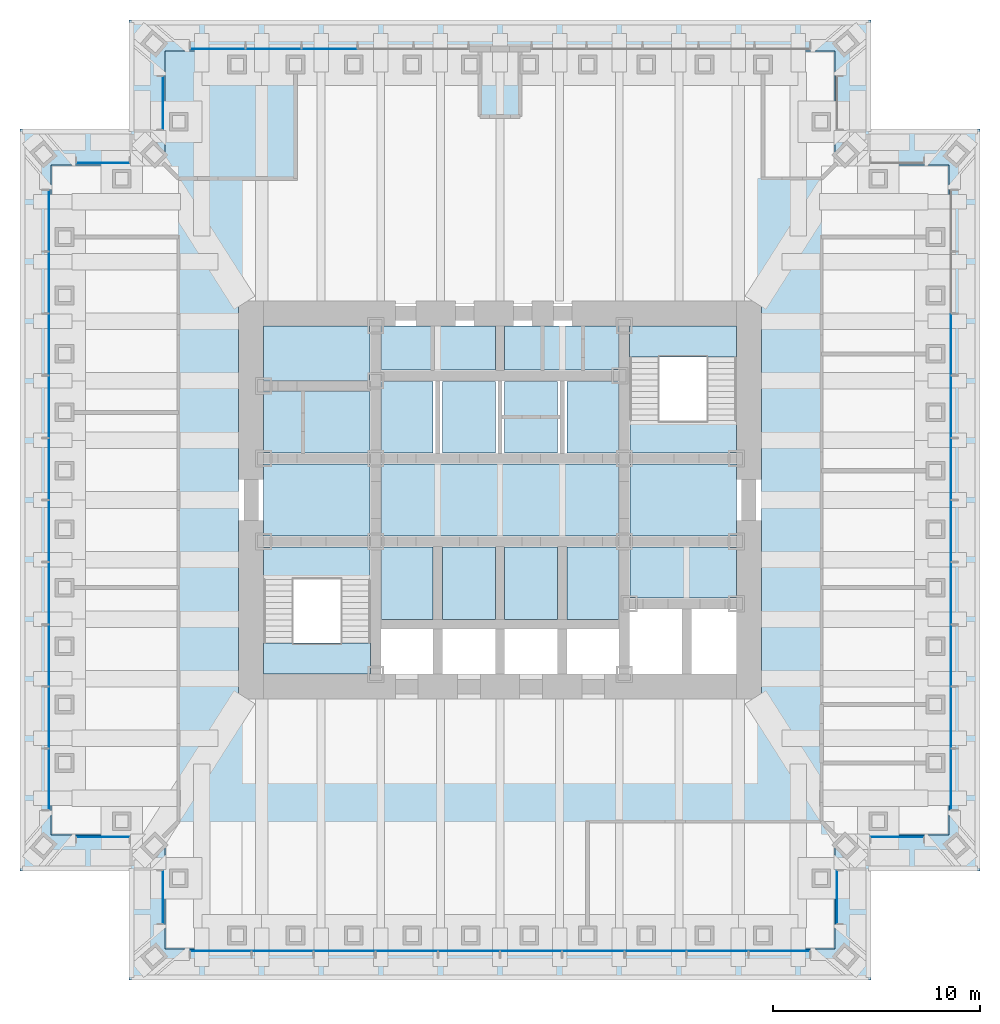
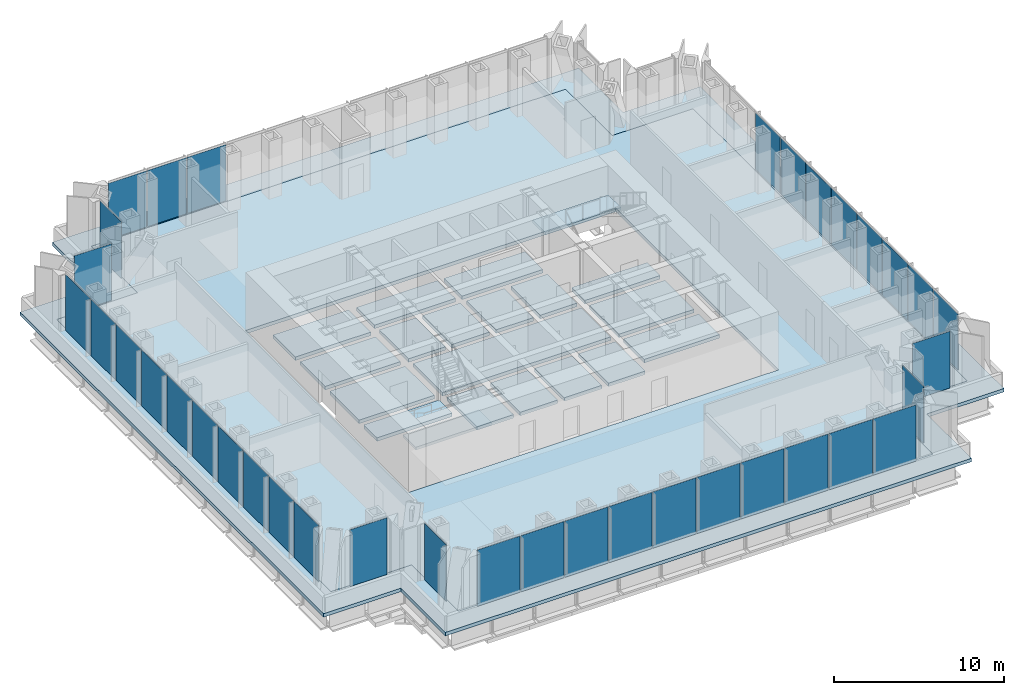
# One storey, part 7 of 12: 37 plates, 22 slabs, 12 elements without a shape of their own.
"""IFC4 building model written with IfcOpenShell, lengths in metres."""

from ifc_helpers import new_model, si_unit, direction, frame, origin, origin_2d, place, context, subcontext, project, spatial, polyline, rectangle, outline, extrude, material, layer, layer_set, type_object, element, aggregate, save


model = new_model("IFC4")

# Units and contexts
model_context = context("Model", 3, precision=1e-05, world=origin(), true_north=direction((0.0, 1.0)))
body_context = subcontext(model_context, "Body", "Model", "MODEL_VIEW")
ifc_project = project(units=[si_unit("LENGTHUNIT", "METRE"), si_unit("AREAUNIT", "SQUARE_METRE"), si_unit("VOLUMEUNIT", "CUBIC_METRE"), si_unit("PLANEANGLEUNIT", "RADIAN"), si_unit("MASSUNIT", "GRAM", prefix="KILO")], contexts=[model_context])

# Site, building, storey
site_placement = place(None, origin())
site = spatial("IfcSite", under=ifc_project, at=site_placement, CompositionType="ELEMENT")
building_placement = place(site_placement, origin())
building = spatial("IfcBuilding", under=site, at=building_placement, Name="Daluyong Arena Tower", CompositionType="ELEMENT")
storey_placement = place(building_placement, frame((0.0, 0.0, 181.300048828125)))
storey = spatial("IfcBuildingStorey", under=building, at=storey_placement, Name="L40", CompositionType="ELEMENT", Elevation=181.300048828125)

# Curtain wall, plates
ifc_material_1 = material(Name="Bronze anodised aluminium and glass", Category="aluminium")
curtain_wall_type_1 = type_object("IfcCurtainWallType", Name="Curtain wall CW3", PredefinedType="USERDEFINED", material=ifc_material_1)
curtain_wall_1_placement = place(storey_placement, origin())
curtain_wall_1 = element("IfcCurtainWall", 1, at=curtain_wall_1_placement, inside=storey, type_object=curtain_wall_type_1, Name="curtain wall L40 S", ObjectType="UNITISED CURTAIN WALL", PredefinedType="USERDEFINED")
ifc_material_2 = material(Name="Tinted double glazed unit", Category="glass")
ifc_layer_1 = layer(ifc_material_2, 0.030029296875)
ifc_layer_set_1 = layer_set([ifc_layer_1], Name="Tinted double glazed unit")
plate_type_1 = type_object("IfcPlateType", Name="CW3 panel 30", PredefinedType="CURTAIN_PANEL", material=ifc_layer_set_1)
plate_1_placement = place(storey_placement, frame((42.531494140625, 58.25, 0.0), z_axis=(0.0, 0.0, 1.0), x_axis=(1.0, 0.0, 0.0)))
plate_1 = element("IfcPlate", 2, at=plate_1_placement, type_object=plate_type_1, Name="curtain wall L40 S panel 1", PredefinedType="CURTAIN_PANEL", context=body_context, shape_type="SweptSolid", body=[
    extrude(rectangle(XDim=2.891845703125, YDim=0.030029296875, at=origin_2d()), origin(), (0.0, 0.0, 1.0), 4.0400390625),
])
plate_2_placement = place(storey_placement, frame((45.5107421875, 58.25, 0.0), z_axis=(0.0, 0.0, 1.0), x_axis=(1.0, 0.0, 0.0)))
plate_2 = element("IfcPlate", 3, at=plate_2_placement, type_object=plate_type_1, Name="curtain wall L40 S panel 2", PredefinedType="CURTAIN_PANEL", context=body_context, shape_type="SweptSolid", body=[
    extrude(rectangle(XDim=2.927001953125, YDim=0.030029296875, at=origin_2d()), origin(), (0.0, 0.0, 1.0), 4.0400390625),
])
plate_3_placement = place(storey_placement, frame((48.5078125, 58.25, 0.0), z_axis=(0.0, 0.0, 1.0), x_axis=(1.0, 0.0, 0.0)))
plate_3 = element("IfcPlate", 4, at=plate_3_placement, type_object=plate_type_1, Name="curtain wall L40 S panel 3", PredefinedType="CURTAIN_PANEL", context=body_context, shape_type="SweptSolid", body=[
    extrude(rectangle(XDim=2.927001953125, YDim=0.030029296875, at=origin_2d()), origin(), (0.0, 0.0, 1.0), 4.0400390625),
])
plate_4_placement = place(storey_placement, frame((51.504638671875, 58.25, 0.0), z_axis=(0.0, 0.0, 1.0), x_axis=(1.0, 0.0, 0.0)))
plate_4 = element("IfcPlate", 5, at=plate_4_placement, type_object=plate_type_1, Name="curtain wall L40 S panel 4", PredefinedType="CURTAIN_PANEL", context=body_context, shape_type="SweptSolid", body=[
    extrude(rectangle(XDim=2.927001953125, YDim=0.030029296875, at=origin_2d()), origin(), (0.0, 0.0, 1.0), 4.0400390625),
])
plate_5_placement = place(storey_placement, frame((54.50146484375, 58.25, 0.0), z_axis=(0.0, 0.0, 1.0), x_axis=(1.0, 0.0, 0.0)))
plate_5 = element("IfcPlate", 6, at=plate_5_placement, type_object=plate_type_1, Name="curtain wall L40 S panel 5", PredefinedType="CURTAIN_PANEL", context=body_context, shape_type="SweptSolid", body=[
    extrude(rectangle(XDim=2.927001953125, YDim=0.030029296875, at=origin_2d()), origin(), (0.0, 0.0, 1.0), 4.0400390625),
])
plate_6_placement = place(storey_placement, frame((57.49853515625, 58.25, 0.0), z_axis=(0.0, 0.0, 1.0), x_axis=(1.0, 0.0, 0.0)))
plate_6 = element("IfcPlate", 7, at=plate_6_placement, type_object=plate_type_1, Name="curtain wall L40 S panel 6", PredefinedType="CURTAIN_PANEL", context=body_context, shape_type="SweptSolid", body=[
    extrude(rectangle(XDim=2.927001953125, YDim=0.030029296875, at=origin_2d()), origin(), (0.0, 0.0, 1.0), 4.0400390625),
])
plate_7_placement = place(storey_placement, frame((60.495361328125, 58.25, 0.0), z_axis=(0.0, 0.0, 1.0), x_axis=(1.0, 0.0, 0.0)))
plate_7 = element("IfcPlate", 8, at=plate_7_placement, type_object=plate_type_1, Name="curtain wall L40 S panel 7", PredefinedType="CURTAIN_PANEL", context=body_context, shape_type="SweptSolid", body=[
    extrude(rectangle(XDim=2.927001953125, YDim=0.030029296875, at=origin_2d()), origin(), (0.0, 0.0, 1.0), 4.0400390625),
])
plate_8_placement = place(storey_placement, frame((63.4921875, 58.25, 0.0), z_axis=(0.0, 0.0, 1.0), x_axis=(1.0, 0.0, 0.0)))
plate_8 = element("IfcPlate", 9, at=plate_8_placement, type_object=plate_type_1, Name="curtain wall L40 S panel 8", PredefinedType="CURTAIN_PANEL", context=body_context, shape_type="SweptSolid", body=[
    extrude(rectangle(XDim=2.927001953125, YDim=0.030029296875, at=origin_2d()), origin(), (0.0, 0.0, 1.0), 4.0400390625),
])
plate_9_placement = place(storey_placement, frame((66.4892578125, 58.25, 0.0), z_axis=(0.0, 0.0, 1.0), x_axis=(1.0, 0.0, 0.0)))
plate_9 = element("IfcPlate", 10, at=plate_9_placement, type_object=plate_type_1, Name="curtain wall L40 S panel 9", PredefinedType="CURTAIN_PANEL", context=body_context, shape_type="SweptSolid", body=[
    extrude(rectangle(XDim=2.927001953125, YDim=0.030029296875, at=origin_2d()), origin(), (0.0, 0.0, 1.0), 4.0400390625),
])
plate_10_placement = place(storey_placement, frame((69.468505859375, 58.25, 0.0), z_axis=(0.0, 0.0, 1.0), x_axis=(1.0, 0.0, 0.0)))
plate_10 = element("IfcPlate", 11, at=plate_10_placement, type_object=plate_type_1, Name="curtain wall L40 S panel 10", PredefinedType="CURTAIN_PANEL", context=body_context, shape_type="SweptSolid", body=[
    extrude(rectangle(XDim=2.891845703125, YDim=0.030029296875, at=origin_2d()), origin(), (0.0, 0.0, 1.0), 4.0400390625),
])
aggregate(curtain_wall_1, [plate_1, plate_2, plate_3, plate_4, plate_5, plate_6, plate_7, plate_8, plate_9, plate_10])

curtain_wall_2_placement = place(storey_placement, origin())
curtain_wall_2 = element("IfcCurtainWall", 12, at=curtain_wall_2_placement, inside=storey, type_object=curtain_wall_type_1, Name="curtain wall L40 E", ObjectType="UNITISED CURTAIN WALL", PredefinedType="USERDEFINED")
plate_11_placement = place(storey_placement, frame((77.75, 66.531494140625, 0.0), z_axis=(0.0, 0.0, 1.0), x_axis=(0.0, 1.0, 0.0)))
plate_11 = element("IfcPlate", 13, at=plate_11_placement, type_object=plate_type_1, Name="curtain wall L40 E panel 1", PredefinedType="CURTAIN_PANEL", context=body_context, shape_type="SweptSolid", body=[
    extrude(rectangle(XDim=2.891845703125, YDim=0.030029296875, at=origin_2d()), origin(), (0.0, 0.0, 1.0), 4.0400390625),
])
plate_12_placement = place(storey_placement, frame((77.75, 69.5107421875, 0.0), z_axis=(0.0, 0.0, 1.0), x_axis=(0.0, 1.0, 0.0)))
plate_12 = element("IfcPlate", 14, at=plate_12_placement, type_object=plate_type_1, Name="curtain wall L40 E panel 2", PredefinedType="CURTAIN_PANEL", context=body_context, shape_type="SweptSolid", body=[
    extrude(rectangle(XDim=2.927001953125, YDim=0.030029296875, at=origin_2d()), origin(), (0.0, 0.0, 1.0), 4.0400390625),
])
plate_13_placement = place(storey_placement, frame((77.75, 72.5078125, 0.0), z_axis=(0.0, 0.0, 1.0), x_axis=(0.0, 1.0, 0.0)))
plate_13 = element("IfcPlate", 15, at=plate_13_placement, type_object=plate_type_1, Name="curtain wall L40 E panel 3", PredefinedType="CURTAIN_PANEL", context=body_context, shape_type="SweptSolid", body=[
    extrude(rectangle(XDim=2.927001953125, YDim=0.030029296875, at=origin_2d()), origin(), (0.0, 0.0, 1.0), 4.0400390625),
])
plate_14_placement = place(storey_placement, frame((77.75, 75.504638671875, 0.0), z_axis=(0.0, 0.0, 1.0), x_axis=(0.0, 1.0, 0.0)))
plate_14 = element("IfcPlate", 16, at=plate_14_placement, type_object=plate_type_1, Name="curtain wall L40 E panel 4", PredefinedType="CURTAIN_PANEL", context=body_context, shape_type="SweptSolid", body=[
    extrude(rectangle(XDim=2.927001953125, YDim=0.030029296875, at=origin_2d()), origin(), (0.0, 0.0, 1.0), 4.0400390625),
])
plate_15_placement = place(storey_placement, frame((77.75, 78.50146484375, 0.0), z_axis=(0.0, 0.0, 1.0), x_axis=(0.0, 1.0, 0.0)))
plate_15 = element("IfcPlate", 17, at=plate_15_placement, type_object=plate_type_1, Name="curtain wall L40 E panel 5", PredefinedType="CURTAIN_PANEL", context=body_context, shape_type="SweptSolid", body=[
    extrude(rectangle(XDim=2.927001953125, YDim=0.030029296875, at=origin_2d()), origin(), (0.0, 0.0, 1.0), 4.0400390625),
])
plate_16_placement = place(storey_placement, frame((77.75, 81.49853515625, 0.0), z_axis=(0.0, 0.0, 1.0), x_axis=(0.0, 1.0, 0.0)))
plate_16 = element("IfcPlate", 18, at=plate_16_placement, type_object=plate_type_1, Name="curtain wall L40 E panel 6", PredefinedType="CURTAIN_PANEL", context=body_context, shape_type="SweptSolid", body=[
    extrude(rectangle(XDim=2.927001953125, YDim=0.030029296875, at=origin_2d()), origin(), (0.0, 0.0, 1.0), 4.0400390625),
])
plate_17_placement = place(storey_placement, frame((77.75, 84.495361328125, 0.0), z_axis=(0.0, 0.0, 1.0), x_axis=(0.0, 1.0, 0.0)))
plate_17 = element("IfcPlate", 19, at=plate_17_placement, type_object=plate_type_1, Name="curtain wall L40 E panel 7", PredefinedType="CURTAIN_PANEL", context=body_context, shape_type="SweptSolid", body=[
    extrude(rectangle(XDim=2.927001953125, YDim=0.030029296875, at=origin_2d()), origin(), (0.0, 0.0, 1.0), 4.0400390625),
])
plate_18_placement = place(storey_placement, frame((77.75, 87.4921875, 0.0), z_axis=(0.0, 0.0, 1.0), x_axis=(0.0, 1.0, 0.0)))
plate_18 = element("IfcPlate", 20, at=plate_18_placement, type_object=plate_type_1, Name="curtain wall L40 E panel 8", PredefinedType="CURTAIN_PANEL", context=body_context, shape_type="SweptSolid", body=[
    extrude(rectangle(XDim=2.927001953125, YDim=0.030029296875, at=origin_2d()), origin(), (0.0, 0.0, 1.0), 4.0400390625),
])
aggregate(curtain_wall_2, [plate_11, plate_12, plate_13, plate_14, plate_15, plate_16, plate_17, plate_18])

curtain_wall_3_placement = place(storey_placement, origin())
curtain_wall_3 = element("IfcCurtainWall", 21, at=curtain_wall_3_placement, inside=storey, type_object=curtain_wall_type_1, Name="curtain wall L40 N part 2", ObjectType="UNITISED CURTAIN WALL", PredefinedType="USERDEFINED")
plate_19_placement = place(storey_placement, frame((47.76904296875, 101.75, 0.0), z_axis=(0.0, 0.0, 1.0), x_axis=(-1.0, 0.0, 0.0)))
plate_19 = element("IfcPlate", 22, at=plate_19_placement, type_object=plate_type_1, Name="curtain wall L40 N part 2 panel 3", PredefinedType="CURTAIN_PANEL", context=body_context, shape_type="SweptSolid", body=[
    extrude(rectangle(XDim=2.63134765625, YDim=0.030029296875, at=origin_2d()), origin(), (0.0, 0.0, 1.0), 4.0400390625),
])
plate_20_placement = place(storey_placement, frame((45.067626953125, 101.75, 0.0), z_axis=(0.0, 0.0, 1.0), x_axis=(-1.0, 0.0, 0.0)))
plate_20 = element("IfcPlate", 23, at=plate_20_placement, type_object=plate_type_1, Name="curtain wall L40 N part 2 panel 4", PredefinedType="CURTAIN_PANEL", context=body_context, shape_type="SweptSolid", body=[
    extrude(rectangle(XDim=2.63134765625, YDim=0.030029296875, at=origin_2d()), origin(), (0.0, 0.0, 1.0), 4.0400390625),
])
plate_21_placement = place(storey_placement, frame((42.3837890625, 101.75, 0.0), z_axis=(0.0, 0.0, 1.0), x_axis=(-1.0, 0.0, 0.0)))
plate_21 = element("IfcPlate", 24, at=plate_21_placement, type_object=plate_type_1, Name="curtain wall L40 N part 2 panel 5", PredefinedType="CURTAIN_PANEL", context=body_context, shape_type="SweptSolid", body=[
    extrude(rectangle(XDim=2.596435546875, YDim=0.030029296875, at=origin_2d()), origin(), (0.0, 0.0, 1.0), 4.0400390625),
])
aggregate(curtain_wall_3, [plate_19, plate_20, plate_21])

curtain_wall_4_placement = place(storey_placement, origin())
curtain_wall_4 = element("IfcCurtainWall", 25, at=curtain_wall_4_placement, inside=storey, type_object=curtain_wall_type_1, Name="curtain wall L40 W", ObjectType="UNITISED CURTAIN WALL", PredefinedType="USERDEFINED")
plate_22_placement = place(storey_placement, frame((34.25, 93.468505859375, 0.0), z_axis=(0.0, 0.0, 1.0), x_axis=(0.0, -1.0, 0.0)))
plate_22 = element("IfcPlate", 26, at=plate_22_placement, type_object=plate_type_1, Name="curtain wall L40 W panel 1", PredefinedType="CURTAIN_PANEL", context=body_context, shape_type="SweptSolid", body=[
    extrude(rectangle(XDim=2.891845703125, YDim=0.030029296875, at=origin_2d()), origin(), (0.0, 0.0, 1.0), 4.0400390625),
])
plate_23_placement = place(storey_placement, frame((34.25, 90.4892578125, 0.0), z_axis=(0.0, 0.0, 1.0), x_axis=(0.0, -1.0, 0.0)))
plate_23 = element("IfcPlate", 27, at=plate_23_placement, type_object=plate_type_1, Name="curtain wall L40 W panel 2", PredefinedType="CURTAIN_PANEL", context=body_context, shape_type="SweptSolid", body=[
    extrude(rectangle(XDim=2.927001953125, YDim=0.030029296875, at=origin_2d()), origin(), (0.0, 0.0, 1.0), 4.0400390625),
])
plate_24_placement = place(storey_placement, frame((34.25, 87.4921875, 0.0), z_axis=(0.0, 0.0, 1.0), x_axis=(0.0, -1.0, 0.0)))
plate_24 = element("IfcPlate", 28, at=plate_24_placement, type_object=plate_type_1, Name="curtain wall L40 W panel 3", PredefinedType="CURTAIN_PANEL", context=body_context, shape_type="SweptSolid", body=[
    extrude(rectangle(XDim=2.927001953125, YDim=0.030029296875, at=origin_2d()), origin(), (0.0, 0.0, 1.0), 4.0400390625),
])
plate_25_placement = place(storey_placement, frame((34.25, 84.495361328125, 0.0), z_axis=(0.0, 0.0, 1.0), x_axis=(0.0, -1.0, 0.0)))
plate_25 = element("IfcPlate", 29, at=plate_25_placement, type_object=plate_type_1, Name="curtain wall L40 W panel 4", PredefinedType="CURTAIN_PANEL", context=body_context, shape_type="SweptSolid", body=[
    extrude(rectangle(XDim=2.927001953125, YDim=0.030029296875, at=origin_2d()), origin(), (0.0, 0.0, 1.0), 4.0400390625),
])
plate_26_placement = place(storey_placement, frame((34.25, 81.49853515625, 0.0), z_axis=(0.0, 0.0, 1.0), x_axis=(0.0, -1.0, 0.0)))
plate_26 = element("IfcPlate", 30, at=plate_26_placement, type_object=plate_type_1, Name="curtain wall L40 W panel 5", PredefinedType="CURTAIN_PANEL", context=body_context, shape_type="SweptSolid", body=[
    extrude(rectangle(XDim=2.927001953125, YDim=0.030029296875, at=origin_2d()), origin(), (0.0, 0.0, 1.0), 4.0400390625),
])
plate_27_placement = place(storey_placement, frame((34.25, 78.50146484375, 0.0), z_axis=(0.0, 0.0, 1.0), x_axis=(0.0, -1.0, 0.0)))
plate_27 = element("IfcPlate", 31, at=plate_27_placement, type_object=plate_type_1, Name="curtain wall L40 W panel 6", PredefinedType="CURTAIN_PANEL", context=body_context, shape_type="SweptSolid", body=[
    extrude(rectangle(XDim=2.927001953125, YDim=0.030029296875, at=origin_2d()), origin(), (0.0, 0.0, 1.0), 4.0400390625),
])
plate_28_placement = place(storey_placement, frame((34.25, 75.504638671875, 0.0), z_axis=(0.0, 0.0, 1.0), x_axis=(0.0, -1.0, 0.0)))
plate_28 = element("IfcPlate", 32, at=plate_28_placement, type_object=plate_type_1, Name="curtain wall L40 W panel 7", PredefinedType="CURTAIN_PANEL", context=body_context, shape_type="SweptSolid", body=[
    extrude(rectangle(XDim=2.927001953125, YDim=0.030029296875, at=origin_2d()), origin(), (0.0, 0.0, 1.0), 4.0400390625),
])
plate_29_placement = place(storey_placement, frame((34.25, 72.5078125, 0.0), z_axis=(0.0, 0.0, 1.0), x_axis=(0.0, -1.0, 0.0)))
plate_29 = element("IfcPlate", 33, at=plate_29_placement, type_object=plate_type_1, Name="curtain wall L40 W panel 8", PredefinedType="CURTAIN_PANEL", context=body_context, shape_type="SweptSolid", body=[
    extrude(rectangle(XDim=2.927001953125, YDim=0.030029296875, at=origin_2d()), origin(), (0.0, 0.0, 1.0), 4.0400390625),
])
plate_30_placement = place(storey_placement, frame((34.25, 69.5107421875, 0.0), z_axis=(0.0, 0.0, 1.0), x_axis=(0.0, -1.0, 0.0)))
plate_30 = element("IfcPlate", 34, at=plate_30_placement, type_object=plate_type_1, Name="curtain wall L40 W panel 9", PredefinedType="CURTAIN_PANEL", context=body_context, shape_type="SweptSolid", body=[
    extrude(rectangle(XDim=2.927001953125, YDim=0.030029296875, at=origin_2d()), origin(), (0.0, 0.0, 1.0), 4.0400390625),
])
plate_31_placement = place(storey_placement, frame((34.25, 66.531494140625, 0.0), z_axis=(0.0, 0.0, 1.0), x_axis=(0.0, -1.0, 0.0)))
plate_31 = element("IfcPlate", 35, at=plate_31_placement, type_object=plate_type_1, Name="curtain wall L40 W panel 10", PredefinedType="CURTAIN_PANEL", context=body_context, shape_type="SweptSolid", body=[
    extrude(rectangle(XDim=2.891845703125, YDim=0.030029296875, at=origin_2d()), origin(), (0.0, 0.0, 1.0), 4.0400390625),
])
aggregate(curtain_wall_4, [plate_22, plate_23, plate_24, plate_25, plate_26, plate_27, plate_28, plate_29, plate_30, plate_31])

# Curtain wall, plate
ifc_material_3 = material(Name="Bronze anodised aluminium and glass", Category="aluminium")
curtain_wall_type_2 = type_object("IfcCurtainWallType", Name="Curtain wall CW7", PredefinedType="USERDEFINED", material=ifc_material_3)
curtain_wall_5_placement = place(storey_placement, origin())
curtain_wall_5 = element("IfcCurtainWall", 36, at=curtain_wall_5_placement, inside=storey, type_object=curtain_wall_type_2, Name="curtain wall L40 SE-E", ObjectType="UNITISED CURTAIN WALL", PredefinedType="USERDEFINED")
ifc_material_4 = material(Name="Tinted double glazed unit", Category="glass")
ifc_layer_2 = layer(ifc_material_4, 0.028076171875)
ifc_layer_set_2 = layer_set([ifc_layer_2], Name="Tinted double glazed unit")
plate_type_2 = type_object("IfcPlateType", Name="CW7 panel 28", PredefinedType="CURTAIN_PANEL", material=ifc_layer_set_2)
plate_32_placement = place(storey_placement, frame((72.25, 60.853515625, 0.0), z_axis=(0.0, 0.0, 1.0), x_axis=(0.0, 1.0, 0.0)))
plate_32 = element("IfcPlate", 37, at=plate_32_placement, type_object=plate_type_2, Name="curtain wall L40 SE-E panel 1", PredefinedType="CURTAIN_PANEL", context=body_context, shape_type="SweptSolid", body=[
    extrude(rectangle(XDim=2.52880859375, YDim=0.028076171875, at=origin_2d()), origin(), (0.0, 0.0, 1.0), 4.080078125),
])
aggregate(curtain_wall_5, [plate_32])

curtain_wall_6_placement = place(storey_placement, origin())
curtain_wall_6 = element("IfcCurtainWall", 38, at=curtain_wall_6_placement, inside=storey, type_object=curtain_wall_type_2, Name="curtain wall L40 SE-S", ObjectType="UNITISED CURTAIN WALL", PredefinedType="USERDEFINED")
plate_33_placement = place(storey_placement, frame((75.146484375, 63.75, 0.0), z_axis=(0.0, 0.0, 1.0), x_axis=(1.0, 0.0, 0.0)))
plate_33 = element("IfcPlate", 39, at=plate_33_placement, type_object=plate_type_2, Name="curtain wall L40 SE-S panel 1", PredefinedType="CURTAIN_PANEL", context=body_context, shape_type="SweptSolid", body=[
    extrude(rectangle(XDim=2.52880859375, YDim=0.028076171875, at=origin_2d()), origin(), (0.0, 0.0, 1.0), 4.080078125),
])
aggregate(curtain_wall_6, [plate_33])

curtain_wall_7_placement = place(storey_placement, origin())
curtain_wall_7 = element("IfcCurtainWall", 40, at=curtain_wall_7_placement, inside=storey, type_object=curtain_wall_type_2, Name="curtain wall L40 NW-W", ObjectType="UNITISED CURTAIN WALL", PredefinedType="USERDEFINED")
plate_34_placement = place(storey_placement, frame((39.75, 99.146484375, 0.0), z_axis=(0.0, 0.0, 1.0), x_axis=(0.0, -1.0, 0.0)))
plate_34 = element("IfcPlate", 41, at=plate_34_placement, type_object=plate_type_2, Name="curtain wall L40 NW-W panel 1", PredefinedType="CURTAIN_PANEL", context=body_context, shape_type="SweptSolid", body=[
    extrude(rectangle(XDim=2.52880859375, YDim=0.028076171875, at=origin_2d()), origin(), (0.0, 0.0, 1.0), 4.080078125),
])
aggregate(curtain_wall_7, [plate_34])

curtain_wall_8_placement = place(storey_placement, origin())
curtain_wall_8 = element("IfcCurtainWall", 42, at=curtain_wall_8_placement, inside=storey, type_object=curtain_wall_type_2, Name="curtain wall L40 NW-N", ObjectType="UNITISED CURTAIN WALL", PredefinedType="USERDEFINED")
plate_35_placement = place(storey_placement, frame((36.853515625, 96.25, 0.0), z_axis=(0.0, 0.0, 1.0), x_axis=(-1.0, 0.0, 0.0)))
plate_35 = element("IfcPlate", 43, at=plate_35_placement, type_object=plate_type_2, Name="curtain wall L40 NW-N panel 1", PredefinedType="CURTAIN_PANEL", context=body_context, shape_type="SweptSolid", body=[
    extrude(rectangle(XDim=2.52880859375, YDim=0.028076171875, at=origin_2d()), origin(), (0.0, 0.0, 1.0), 4.080078125),
])
aggregate(curtain_wall_8, [plate_35])

curtain_wall_9_placement = place(storey_placement, origin())
curtain_wall_9 = element("IfcCurtainWall", 44, at=curtain_wall_9_placement, inside=storey, type_object=curtain_wall_type_2, Name="curtain wall L40 SW-S", ObjectType="UNITISED CURTAIN WALL", PredefinedType="USERDEFINED")
plate_36_placement = place(storey_placement, frame((36.853515625, 63.75, 0.0), z_axis=(0.0, 0.0, 1.0), x_axis=(1.0, 0.0, 0.0)))
plate_36 = element("IfcPlate", 45, at=plate_36_placement, type_object=plate_type_2, Name="curtain wall L40 SW-S panel 1", PredefinedType="CURTAIN_PANEL", context=body_context, shape_type="SweptSolid", body=[
    extrude(rectangle(XDim=2.52880859375, YDim=0.028076171875, at=origin_2d()), origin(), (0.0, 0.0, 1.0), 4.080078125),
])
aggregate(curtain_wall_9, [plate_36])

curtain_wall_10_placement = place(storey_placement, origin())
curtain_wall_10 = element("IfcCurtainWall", 46, at=curtain_wall_10_placement, inside=storey, type_object=curtain_wall_type_2, Name="curtain wall L40 SW-W", ObjectType="UNITISED CURTAIN WALL", PredefinedType="USERDEFINED")
plate_37_placement = place(storey_placement, frame((39.75, 60.853515625, 0.0), z_axis=(0.0, 0.0, 1.0), x_axis=(0.0, -1.0, 0.0)))
plate_37 = element("IfcPlate", 47, at=plate_37_placement, type_object=plate_type_2, Name="curtain wall L40 SW-W panel 1", PredefinedType="CURTAIN_PANEL", context=body_context, shape_type="SweptSolid", body=[
    extrude(rectangle(XDim=2.52880859375, YDim=0.028076171875, at=origin_2d()), origin(), (0.0, 0.0, 1.0), 4.080078125),
])
aggregate(curtain_wall_10, [plate_37])

# Slabs
ifc_material_5 = material(Name="Concrete fc' 35 MPa", Category="concrete")
ifc_layer_3 = layer(ifc_material_5, 0.25)
ifc_layer_set_3 = layer_set([ifc_layer_3], Name="Concrete fc' 35 MPa")
slab_type_1 = type_object("IfcSlabType", Name="Plant floor slab 250", PredefinedType="FLOOR", material=ifc_layer_set_3)
slab_1_placement = place(storey_placement, frame((0.0, 0.0, -0.25)))
element("IfcSlab", 48, at=slab_1_placement, inside=storey, type_object=slab_type_1, Name="floor L40 part 1", PredefinedType="FLOOR", context=body_context, shape_type="SweptSolid", body=[
    extrude(outline(polyline([(49.72509765625, 77.72509765625), (44.60009765625, 77.72509765625), (44.60009765625, 76.175048828125), (49.72509765625, 76.175048828125), (49.72509765625, 77.72509765625)])), origin(), (0.0, 0.0, 1.0), 0.25),
])
slab_2_placement = place(storey_placement, frame((0.0, 0.0, -0.25)))
element("IfcSlab", 49, at=slab_2_placement, inside=storey, type_object=slab_type_1, Name="floor L40 part 2", PredefinedType="FLOOR", context=body_context, shape_type="SweptSolid", body=[
    extrude(outline(polyline([(49.72509765625, 78.27490234375), (49.72509765625, 81.72509765625), (44.60009765625, 81.72509765625), (44.60009765625, 78.27490234375), (49.72509765625, 78.27490234375)])), origin(), (0.0, 0.0, 1.0), 0.25),
])
slab_3_placement = place(storey_placement, frame((0.0, 0.0, -0.25)))
element("IfcSlab", 50, at=slab_3_placement, inside=storey, type_object=slab_type_1, Name="floor L40 part 3", PredefinedType="FLOOR", context=body_context, shape_type="SweptSolid", body=[
    extrude(outline(polyline([(49.72509765625, 82.27490234375), (49.72509765625, 85.22509765625), (44.60009765625, 85.22509765625), (44.60009765625, 82.27490234375), (49.72509765625, 82.27490234375)])), origin(), (0.0, 0.0, 1.0), 0.25),
])
slab_4_placement = place(storey_placement, frame((0.0, 0.0, -0.25)))
element("IfcSlab", 51, at=slab_4_placement, inside=storey, type_object=slab_type_1, Name="floor L40 part 4", PredefinedType="FLOOR", context=body_context, shape_type="SweptSolid", body=[
    extrude(outline(polyline([(44.60009765625, 88.39990234375), (44.60009765625, 85.77490234375), (49.72509765625, 85.77490234375), (49.72509765625, 88.39990234375), (44.60009765625, 88.39990234375)])), origin(), (0.0, 0.0, 1.0), 0.25),
])
slab_5_placement = place(storey_placement, frame((0.0, 0.0, -0.25)))
element("IfcSlab", 52, at=slab_5_placement, inside=storey, type_object=slab_type_1, Name="floor L40 part 5", PredefinedType="FLOOR", context=body_context, shape_type="SweptSolid", body=[
    extrude(outline(polyline([(50.27490234375, 77.72509765625), (50.27490234375, 74.22509765625), (52.77490234375, 74.22509765625), (52.77490234375, 77.72509765625), (50.27490234375, 77.72509765625)])), origin(), (0.0, 0.0, 1.0), 0.25),
])
slab_6_placement = place(storey_placement, frame((0.0, 0.0, -0.25)))
element("IfcSlab", 53, at=slab_6_placement, inside=storey, type_object=slab_type_1, Name="floor L40 part 6", PredefinedType="FLOOR", context=body_context, shape_type="SweptSolid", body=[
    extrude(outline(polyline([(50.27490234375, 85.72509765625), (50.27490234375, 82.27490234375), (52.77490234375, 82.27490234375), (52.77490234375, 85.72509765625), (50.27490234375, 85.72509765625)])), origin(), (0.0, 0.0, 1.0), 0.25),
])
slab_7_placement = place(storey_placement, frame((0.0, 0.0, -0.25)))
element("IfcSlab", 54, at=slab_7_placement, inside=storey, type_object=slab_type_1, Name="floor L40 part 7", PredefinedType="FLOOR", context=body_context, shape_type="SweptSolid", body=[
    extrude(outline(polyline([(50.27490234375, 88.39990234375), (50.27490234375, 86.27490234375), (55.77490234375, 86.27490234375), (55.77490234375, 88.39990234375), (50.27490234375, 88.39990234375)])), origin(), (0.0, 0.0, 1.0), 0.25),
])
slab_8_placement = place(storey_placement, frame((0.0, 0.0, -0.25)))
element("IfcSlab", 55, at=slab_8_placement, inside=storey, type_object=slab_type_1, Name="floor L40 part 8", PredefinedType="FLOOR", context=body_context, shape_type="SweptSolid", body=[
    extrude(outline(polyline([(53.22509765625, 77.72509765625), (53.22509765625, 74.22509765625), (55.77490234375, 74.22509765625), (55.77490234375, 77.72509765625), (53.22509765625, 77.72509765625)])), origin(), (0.0, 0.0, 1.0), 0.25),
])
slab_9_placement = place(storey_placement, frame((0.0, 0.0, -0.25)))
element("IfcSlab", 56, at=slab_9_placement, inside=storey, type_object=slab_type_1, Name="floor L40 part 9", PredefinedType="FLOOR", context=body_context, shape_type="SweptSolid", body=[
    extrude(outline(polyline([(53.22509765625, 85.72509765625), (53.22509765625, 82.27490234375), (55.77490234375, 82.27490234375), (55.77490234375, 85.72509765625), (53.22509765625, 85.72509765625)])), origin(), (0.0, 0.0, 1.0), 0.25),
])
slab_10_placement = place(storey_placement, frame((0.0, 0.0, -0.25)))
element("IfcSlab", 57, at=slab_10_placement, inside=storey, type_object=slab_type_1, Name="floor L40 part 10", PredefinedType="FLOOR", context=body_context, shape_type="SweptSolid", body=[
    extrude(outline(polyline([(39.85009765625, 63.85009765625), (39.85009765625, 58.35009765625), (72.14990234375, 58.35009765625), (72.14990234375, 63.85009765625), (77.64990234375, 63.85009765625), (77.64990234375, 96.14990234375), (72.14990234375, 96.14990234375), (72.14990234375, 101.64990234375), (39.85009765625, 101.64990234375), (39.85009765625, 96.14990234375), (34.35009765625, 96.14990234375), (34.35009765625, 63.85009765625), (39.85009765625, 63.85009765625)]), holes=[polyline([(68.60009765625, 89.60009765625), (68.60009765625, 70.39990234375), (43.39990234375, 70.39990234375), (43.39990234375, 89.60009765625), (68.60009765625, 89.60009765625)])]), origin(), (0.0, 0.0, 1.0), 0.25),
])
slab_11_placement = place(storey_placement, frame((0.0, 0.0, -0.25)))
element("IfcSlab", 58, at=slab_11_placement, inside=storey, type_object=slab_type_1, Name="floor L40 part 11", PredefinedType="FLOOR", context=body_context, shape_type="SweptSolid", body=[
    extrude(outline(polyline([(61.72509765625, 81.72509765625), (50.27490234375, 81.72509765625), (50.27490234375, 78.27490234375), (61.72509765625, 78.27490234375), (61.72509765625, 81.72509765625)])), origin(), (0.0, 0.0, 1.0), 0.25),
])
slab_12_placement = place(storey_placement, frame((0.0, 0.0, -0.25)))
element("IfcSlab", 59, at=slab_12_placement, inside=storey, type_object=slab_type_1, Name="floor L40 part 12", PredefinedType="FLOOR", context=body_context, shape_type="SweptSolid", body=[
    extrude(outline(polyline([(56.22509765625, 77.72509765625), (56.22509765625, 74.22509765625), (58.77490234375, 74.22509765625), (58.77490234375, 77.72509765625), (56.22509765625, 77.72509765625)])), origin(), (0.0, 0.0, 1.0), 0.25),
])
slab_13_placement = place(storey_placement, frame((0.0, 0.0, -0.25)))
element("IfcSlab", 60, at=slab_13_placement, inside=storey, type_object=slab_type_1, Name="floor L40 part 13", PredefinedType="FLOOR", context=body_context, shape_type="SweptSolid", body=[
    extrude(outline(polyline([(56.22509765625, 85.72509765625), (56.22509765625, 82.27490234375), (58.77490234375, 82.27490234375), (58.77490234375, 85.72509765625), (56.22509765625, 85.72509765625)])), origin(), (0.0, 0.0, 1.0), 0.25),
])
slab_14_placement = place(storey_placement, frame((0.0, 0.0, -0.25)))
element("IfcSlab", 61, at=slab_14_placement, inside=storey, type_object=slab_type_1, Name="floor L40 part 14", PredefinedType="FLOOR", context=body_context, shape_type="SweptSolid", body=[
    extrude(outline(polyline([(56.22509765625, 86.27490234375), (61.72509765625, 86.27490234375), (61.72509765625, 88.39990234375), (56.22509765625, 88.39990234375), (56.22509765625, 86.27490234375)])), origin(), (0.0, 0.0, 1.0), 0.25),
])
slab_15_placement = place(storey_placement, frame((0.0, 0.0, -0.25)))
element("IfcSlab", 62, at=slab_15_placement, inside=storey, type_object=slab_type_1, Name="floor L40 part 15", PredefinedType="FLOOR", context=body_context, shape_type="SweptSolid", body=[
    extrude(outline(polyline([(59.22509765625, 74.22509765625), (61.72509765625, 74.22509765625), (61.72509765625, 77.72509765625), (59.22509765625, 77.72509765625), (59.22509765625, 74.22509765625)])), origin(), (0.0, 0.0, 1.0), 0.25),
])
slab_16_placement = place(storey_placement, frame((0.0, 0.0, -0.25)))
element("IfcSlab", 63, at=slab_16_placement, inside=storey, type_object=slab_type_1, Name="floor L40 part 16", PredefinedType="FLOOR", context=body_context, shape_type="SweptSolid", body=[
    extrude(outline(polyline([(59.22509765625, 82.27490234375), (61.72509765625, 82.27490234375), (61.72509765625, 85.72509765625), (59.22509765625, 85.72509765625), (59.22509765625, 82.27490234375)])), origin(), (0.0, 0.0, 1.0), 0.25),
])
slab_17_placement = place(storey_placement, frame((0.0, 0.0, -0.25)))
element("IfcSlab", 64, at=slab_17_placement, inside=storey, type_object=slab_type_1, Name="floor L40 part 17", PredefinedType="FLOOR", context=body_context, shape_type="SweptSolid", body=[
    extrude(outline(polyline([(67.39990234375, 75.27490234375), (67.39990234375, 77.72509765625), (62.27490234375, 77.72509765625), (62.27490234375, 75.27490234375), (67.39990234375, 75.27490234375)])), origin(), (0.0, 0.0, 1.0), 0.25),
])
slab_18_placement = place(storey_placement, frame((0.0, 0.0, -0.25)))
element("IfcSlab", 65, at=slab_18_placement, inside=storey, type_object=slab_type_1, Name="floor L40 part 18", PredefinedType="FLOOR", context=body_context, shape_type="SweptSolid", body=[
    extrude(outline(polyline([(67.39990234375, 78.27490234375), (67.39990234375, 81.72509765625), (62.27490234375, 81.72509765625), (62.27490234375, 78.27490234375), (67.39990234375, 78.27490234375)])), origin(), (0.0, 0.0, 1.0), 0.25),
])
slab_19_placement = place(storey_placement, frame((0.0, 0.0, -0.25)))
element("IfcSlab", 66, at=slab_19_placement, inside=storey, type_object=slab_type_1, Name="floor L40 part 19", PredefinedType="FLOOR", context=body_context, shape_type="SweptSolid", body=[
    extrude(outline(polyline([(67.39990234375, 83.824951171875), (62.27490234375, 83.824951171875), (62.27490234375, 82.27490234375), (67.39990234375, 82.27490234375), (67.39990234375, 83.824951171875)])), origin(), (0.0, 0.0, 1.0), 0.25),
])
ifc_material_6 = material(Name="Concrete fc' 35 MPa", Category="concrete")
ifc_layer_4 = layer(ifc_material_6, 0.25)
ifc_layer_set_4 = layer_set([ifc_layer_4], Name="Concrete fc' 35 MPa")
slab_type_2 = type_object("IfcSlabType", Name="Setback roof slab 250", PredefinedType="ROOF", material=ifc_layer_set_4)
slab_20_placement = place(storey_placement, frame((0.0, 0.0, -0.25)))
element("IfcSlab", 67, at=slab_20_placement, inside=storey, type_object=slab_type_2, Name="setback maintenance roof at L40", PredefinedType="ROOF", context=body_context, shape_type="SweptSolid", body=[
    extrude(outline(polyline([(38.10009765625, 62.10009765625), (38.10009765625, 56.85009765625), (73.89990234375, 56.85009765625), (73.89990234375, 62.10009765625), (79.14990234375, 62.10009765625), (79.14990234375, 97.89990234375), (73.89990234375, 97.89990234375), (73.89990234375, 103.14990234375), (38.10009765625, 103.14990234375), (38.10009765625, 97.89990234375), (32.85009765625, 97.89990234375), (32.85009765625, 62.10009765625), (38.10009765625, 62.10009765625)]), holes=[polyline([(72.14990234375, 58.35009765625), (39.85009765625, 58.35009765625), (39.85009765625, 63.85009765625), (34.35009765625, 63.85009765625), (34.35009765625, 96.14990234375), (39.85009765625, 96.14990234375), (39.85009765625, 101.64990234375), (72.14990234375, 101.64990234375), (72.14990234375, 96.14990234375), (77.64990234375, 96.14990234375), (77.64990234375, 63.85009765625), (72.14990234375, 63.85009765625), (72.14990234375, 58.35009765625)])]), origin(), (0.0, 0.0, 1.0), 0.25),
])

# Stair, slab
ifc_material_7 = material(Name="Concrete fc' 35 MPa", Category="concrete")
stair_type = type_object("IfcStairType", Name="Core exit stair", PredefinedType="HALF_TURN_STAIR", material=ifc_material_7)
stair_1_placement = place(storey_placement, origin())
stair_1 = element("IfcStair", 68, at=stair_1_placement, inside=storey, type_object=stair_type, Name="exit stair A L40", PredefinedType="HALF_TURN_STAIR")
ifc_material_8 = material(Name="Concrete fc' 35 MPa", Category="concrete")
ifc_layer_5 = layer(ifc_material_8, 0.199951171875)
ifc_layer_set_5 = layer_set([ifc_layer_5], Name="Concrete fc' 35 MPa")
slab_type_3 = type_object("IfcSlabType", Name="Stair landing 200", PredefinedType="LANDING", material=ifc_layer_set_5)
slab_21_placement = place(storey_placement, frame((0.0, 0.0, 1.89990234375)))
slab_21 = element("IfcSlab", 69, at=slab_21_placement, type_object=slab_type_3, Name="STA landing 1", PredefinedType="LANDING", context=body_context, shape_type="SweptSolid", body=[
    extrude(outline(polyline([(44.60009765625, 71.60009765625), (49.75, 71.60009765625), (49.75, 73.094970703125), (44.60009765625, 73.094970703125), (44.60009765625, 71.60009765625)])), origin(), (0.0, 0.0, 1.0), 0.199951171875),
])
aggregate(stair_1, [slab_21])

stair_2_placement = place(storey_placement, origin())
stair_2 = element("IfcStair", 70, at=stair_2_placement, inside=storey, type_object=stair_type, Name="exit stair B L40", PredefinedType="HALF_TURN_STAIR")
slab_22_placement = place(storey_placement, frame((0.0, 0.0, 1.89990234375)))
slab_22 = element("IfcSlab", 71, at=slab_22_placement, type_object=slab_type_3, Name="STB landing 1", PredefinedType="LANDING", context=body_context, shape_type="SweptSolid", body=[
    extrude(outline(polyline([(62.25, 86.905029296875), (67.39990234375, 86.905029296875), (67.39990234375, 88.39990234375), (62.25, 88.39990234375), (62.25, 86.905029296875)])), origin(), (0.0, 0.0, 1.0), 0.199951171875),
])
aggregate(stair_2, [slab_22])

save(model, "model.ifc")
